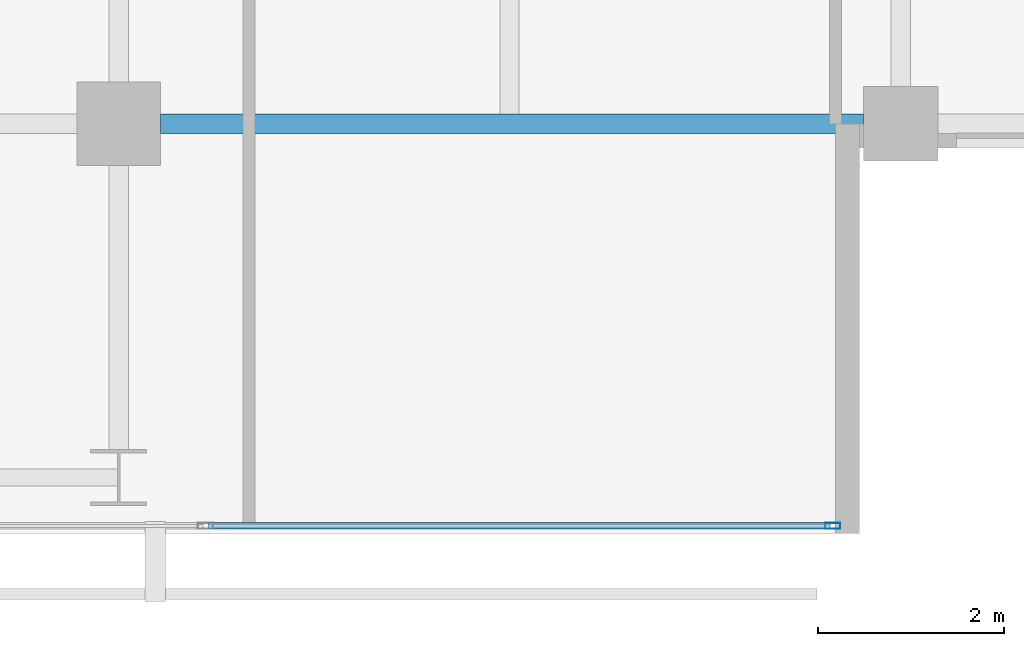
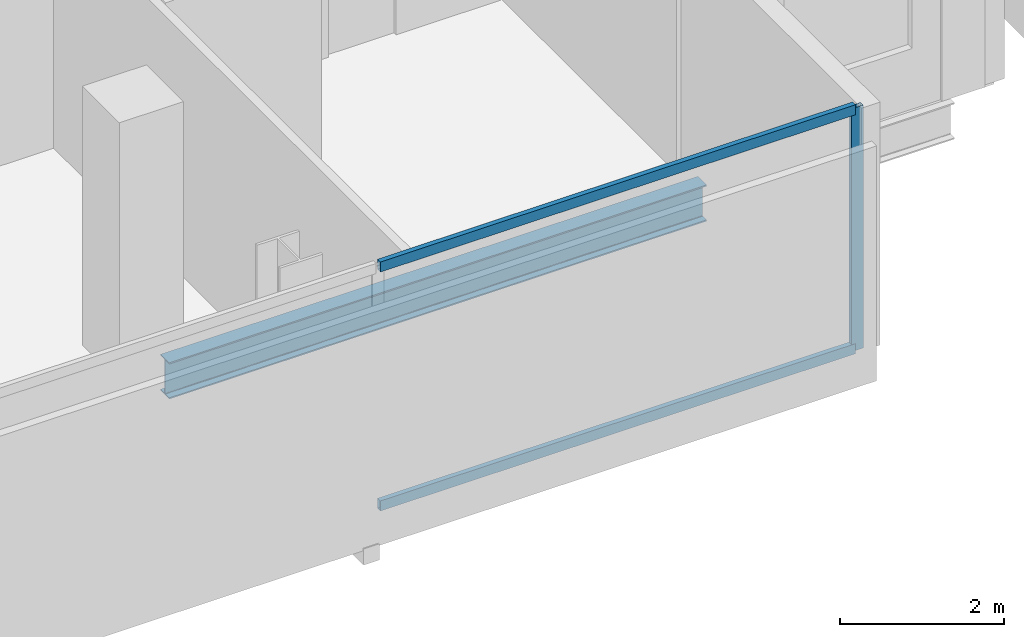
# One storey, part 13 of 33: 3 members, 1 beam, 1 element without a shape of its own.
"""IFC4 building model written with IfcOpenShell, lengths in metres."""

import ifcopenshell
import ifcopenshell.guid

model = None  # the IFC model being written
_history = None  # IfcOwnerHistory: only IFC2X3 demands one
_inside = {}  # id of a spatial element -> (the spatial element, [elements in it])
_under = {}  # id of a project, library or spatial element -> (it, [spatial elements below it])
_declared = {}  # id of a project -> (the project, [libraries it declares])
_typed = {}  # id of a type object -> (the type object, [elements of that type])
_made_of = {}  # id of a material, layer set ... -> (it, [elements and type objects made of it])


def new_model(schema):
    """Start an empty IFC model of exactly this schema.

    Asked for "IFC4X3", IfcOpenShell would pick the latest addendum, in which some entities
    have other attributes; the version numbers below select the first issue.
    IFC2X3 requires an IfcOwnerHistory on every rooted entity: one is made here for all.
    """
    global model, _history
    if schema == "IFC4X3":
        model = ifcopenshell.file(schema_version=(4, 3, 0, 0))
    else:
        model = ifcopenshell.file(schema=schema)
    _inside.clear()
    _under.clear()
    _declared.clear()
    _typed.clear()
    _made_of.clear()
    _history = None
    if model.schema == "IFC2X3":
        org = make("IfcOrganization", Name="unknown")
        user = make(
            "IfcPersonAndOrganization",
            ThePerson=make("IfcPerson", FamilyName="unknown"),
            TheOrganization=org,
        )
        app = make(
            "IfcApplication",
            ApplicationDeveloper=org,
            Version="unknown",
            ApplicationFullName="unknown",
            ApplicationIdentifier="unknown",
        )
        _history = make(
            "IfcOwnerHistory",
            OwningUser=user,
            OwningApplication=app,
            ChangeAction="ADDED",
            CreationDate=0,
        )
    return model


def make(cls, **values):
    """One entity of the class cls with the attributes given. An attribute that is None is left unset."""
    return model.create_entity(
        cls, **{name: value for name, value in values.items() if value is not None}
    )


def rooted(cls, **values):
    """An entity with a GlobalId (a new one), such as an element, a storey or a relation."""
    return make(cls, GlobalId=ifcopenshell.guid.new(), OwnerHistory=_history, **values)


def si_unit(unit_type, name, prefix=None):
    """IfcSIUnit, for example si_unit("LENGTHUNIT", "METRE", prefix="MILLI")."""
    return make("IfcSIUnit", UnitType=unit_type, Prefix=prefix, Name=name)


def assignment(units):
    """IfcUnitAssignment: the units of a project."""
    return None if units is None else make("IfcUnitAssignment", Units=units)


def point(xyz):
    """IfcCartesianPoint."""
    return None if xyz is None else make("IfcCartesianPoint", Coordinates=xyz)


def direction(xyz):
    """IfcDirection."""
    return None if xyz is None else make("IfcDirection", DirectionRatios=xyz)


def frame(location, z_axis=None, x_axis=None):
    """IfcAxis2Placement3D, a coordinate frame: its origin and axes. An axis left out is left unset."""
    return make(
        "IfcAxis2Placement3D",
        Location=point(location),
        Axis=direction(z_axis),
        RefDirection=direction(x_axis),
    )


def frame_2d(location, x_axis=None):
    """IfcAxis2Placement2D, a coordinate frame in the plane: its origin and x axis."""
    return make(
        "IfcAxis2Placement2D", Location=point(location), RefDirection=direction(x_axis)
    )


def origin():
    """The frame at (0, 0, 0) with its axes left unset."""
    return frame((0.0, 0.0, 0.0))


def origin_2d():
    """The frame at (0, 0) in the plane with its x axis left unset."""
    return frame_2d((0.0, 0.0))


def place(relative_to, where):
    """IfcLocalPlacement: puts the frame where relative to a parent placement (None: the world)."""
    return make(
        "IfcLocalPlacement", PlacementRelTo=relative_to, RelativePlacement=where
    )


def context(
    kind, dimensions, precision=None, world=None, true_north=None, identifier=None
):
    """IfcGeometricRepresentationContext, for example the 3D "Model" context."""
    return make(
        "IfcGeometricRepresentationContext",
        ContextIdentifier=identifier,
        ContextType=kind,
        CoordinateSpaceDimension=dimensions,
        Precision=precision,
        WorldCoordinateSystem=world,
        TrueNorth=true_north,
    )


def subcontext(parent, identifier, kind, view, scale=None):
    """IfcGeometricRepresentationSubContext, for example "Body" below "Model"."""
    return make(
        "IfcGeometricRepresentationSubContext",
        ContextIdentifier=identifier,
        ContextType=kind,
        ParentContext=parent,
        TargetScale=scale,
        TargetView=view,
    )


def project(units=None, contexts=None):
    """IfcProject with its units and contexts."""
    return rooted(
        "IfcProject",
        Name="project",
        RepresentationContexts=contexts,
        UnitsInContext=assignment(units),
    )


def spatial(cls, under=None, at=None, **own):
    """A site, building, storey or space (cls), placed at a placement, below another one or the project."""
    s = rooted(cls, ObjectPlacement=at, **own)
    if under is not None:
        _under.setdefault(under.id(), (under, []))[1].append(s)
    return s


def profile(cls, at=None, kind="AREA", **sizes):
    """A parametric profile (cls). Its sizes go by their IFC names, for example OverallWidth=200.0."""
    return make(cls, ProfileType=kind, Position=at, **sizes)


def hollow_rectangle(**sizes):
    """IfcRectangleHollowProfileDef."""
    return profile("IfcRectangleHollowProfileDef", **sizes)


def i_section(**sizes):
    """IfcIShapeProfileDef."""
    return profile("IfcIShapeProfileDef", **sizes)


def extrude(swept, where, along, depth):
    """IfcExtrudedAreaSolid: the profile swept, set in the frame where, extruded along a direction by depth."""
    return make(
        "IfcExtrudedAreaSolid",
        SweptArea=swept,
        Position=where,
        ExtrudedDirection=direction(along),
        Depth=depth,
    )


def shape(context_of_items, identifier, shape_type, items):
    """IfcShapeRepresentation: the items that make up one representation, for example the "Body"."""
    return make(
        "IfcShapeRepresentation",
        ContextOfItems=context_of_items,
        RepresentationIdentifier=identifier,
        RepresentationType=shape_type,
        Items=items,
    )


def material(Name=None, Category=None):
    """IfcMaterial."""
    return make("IfcMaterial", Name=Name, Category=Category)


def layer(
    of_material, thickness, ventilated=None, Name=None, Category=None, Priority=None
):
    """IfcMaterialLayer: one layer of a wall or slab, of a material (None: an air gap)."""
    return make(
        "IfcMaterialLayer",
        Material=of_material,
        LayerThickness=thickness,
        IsVentilated=ventilated,
        Name=Name,
        Category=Category,
        Priority=Priority,
    )


def layer_set(layers, Name=None):
    """IfcMaterialLayerSet."""
    return make("IfcMaterialLayerSet", MaterialLayers=layers, LayerSetName=Name)


def material_profile(
    of_material, cross_section, Name=None, Category=None, Priority=None
):
    """IfcMaterialProfile: a cross section and its material."""
    return make(
        "IfcMaterialProfile",
        Name=Name,
        Material=of_material,
        Profile=cross_section,
        Priority=Priority,
        Category=Category,
    )


def profile_set(profiles, Name=None, composite=None):
    """IfcMaterialProfileSet."""
    return make(
        "IfcMaterialProfileSet",
        Name=Name,
        MaterialProfiles=profiles,
        CompositeProfile=composite,
    )


def made_of(thing, what):
    """Note that an element or type object is made of a material, layer set ...; save() writes the relation."""
    if what is not None:
        _made_of.setdefault(what.id(), (what, []))[1].append(thing)
    return thing


def type_object(cls, material=None, **own):
    """A type object (cls), such as IfcWallType, which elements share."""
    return made_of(rooted(cls, **own), material)


def element(
    cls,
    number,
    at=None,
    inside=None,
    cuts=None,
    type_object=None,
    material=None,
    context=None,
    identifier="Body",
    shape_type=None,
    held_by="IfcProductDefinitionShape",
    body=None,
    shapes=None,
    **own,
):
    """One element of the class cls, such as IfcWall. Its Tag is "e" and its number.

    at: its placement. inside: the storey or other place that contains it. cuts: it is an
    opening in that element (IfcRelVoidsElement). A single representation is given by context,
    identifier, shape_type and body (its items); several are given by shapes. held_by: the class
    of the entity that holds the representations. save() writes the other relations.
    """
    e = rooted(cls, Tag="e%d" % number, ObjectPlacement=at, **own)
    if body is not None:
        shapes = [shape(context, identifier, shape_type, body)]
    if shapes is not None:
        e.Representation = make(held_by, Representations=shapes)
    if inside is not None:
        _inside.setdefault(inside.id(), (inside, []))[1].append(e)
    if cuts is not None:
        rooted(
            "IfcRelVoidsElement", RelatingBuildingElement=cuts, RelatedOpeningElement=e
        )
    if type_object is not None:
        _typed.setdefault(type_object.id(), (type_object, []))[1].append(e)
    return made_of(e, material)


def aggregate(whole, parts):
    """IfcRelAggregates: a whole, such as a stair, and the parts it consists of."""
    return rooted("IfcRelAggregates", RelatingObject=whole, RelatedObjects=parts)


def save(model, path):
    """Write the relations noted so far, then the file.

    IfcRelAggregates (storeys below a building ...), IfcRelContainedInSpatialStructure (elements
    in a storey), IfcRelDefinesByType, IfcRelAssociatesMaterial and IfcRelDeclares: one each for
    every whole, place, type object, material and project.
    """
    for whole, parts in _under.values():
        aggregate(whole, parts)
    for where, things in _inside.values():
        rooted(
            "IfcRelContainedInSpatialStructure",
            RelatedElements=things,
            RelatingStructure=where,
        )
    for kind, things in _typed.values():
        rooted("IfcRelDefinesByType", RelatedObjects=things, RelatingType=kind)
    for what, things in _made_of.values():
        rooted("IfcRelAssociatesMaterial", RelatedObjects=things, RelatingMaterial=what)
    for by, libraries in _declared.values():
        rooted("IfcRelDeclares", RelatingContext=by, RelatedDefinitions=libraries)
    model.write(path)


model = new_model("IFC4")

# Units and contexts
model_context = context("Model", 3, precision=1e-05, world=origin(), true_north=direction((0.0, 1.0)))
body_context = subcontext(model_context, "Body", "Model", "MODEL_VIEW")
ifc_project = project(units=[si_unit("LENGTHUNIT", "METRE"), si_unit("AREAUNIT", "SQUARE_METRE"), si_unit("VOLUMEUNIT", "CUBIC_METRE"), si_unit("PLANEANGLEUNIT", "RADIAN"), si_unit("MASSUNIT", "GRAM", prefix="KILO")], contexts=[model_context])

# Site, building, storey
site_placement = place(None, origin())
site = spatial("IfcSite", under=ifc_project, at=site_placement, CompositionType="ELEMENT")
building_placement = place(site_placement, origin())
building = spatial("IfcBuilding", under=site, at=building_placement, Name="Maruvema Waterfront Hotel and Observation Tower", CompositionType="ELEMENT")
storey_placement = place(building_placement, frame((0.0, 0.0, 204.39990234375)))
storey = spatial("IfcBuildingStorey", under=building, at=storey_placement, Name="L50", CompositionType="ELEMENT", Elevation=204.39990234375)

# Curtain wall, members
ifc_material_1 = material(Name="Anodised bronze aluminium and solar-control low-E IGU", Category="aluminium")
ifc_layer = layer(ifc_material_1, 0.159912109375, Name="Zone 2 Amber Inner Thermal Curtain Wall System CW-03")
ifc_layer_set = layer_set([ifc_layer], Name="Anodised bronze aluminium and solar-control low-E IGU")
curtain_wall_type = type_object("IfcCurtainWallType", Name="Zone 2 Amber Inner Thermal Curtain Wall System CW-03", PredefinedType="USERDEFINED", material=ifc_layer_set)
curtain_wall_placement = place(storey_placement, origin())
curtain_wall = element("IfcCurtainWall", 1, at=curtain_wall_placement, inside=storey, type_object=curtain_wall_type, Name="L50 Curtain Wall CW-L50-S", ObjectType="UNITISED CURTAIN WALL", PredefinedType="USERDEFINED")
ifc_material_2 = material(Name="Anodised architectural bronze aluminium", Category="aluminium")
ifc_material_profile_1 = material_profile(ifc_material_2, hollow_rectangle(XDim=0.070068359375, YDim=0.14990234375, WallThickness=0.00390625, at=origin_2d()), Name="ALU-T70x150")
ifc_profile_set_1 = profile_set([ifc_material_profile_1], Name="Anodised architectural bronze aluminium")
member_type_1 = type_object("IfcMemberType", Name="Curtain Wall Horizontal Transom ALU-T70x150", PredefinedType="USERDEFINED", material=ifc_profile_set_1)
member_1_placement = place(storey_placement, frame((51.36328125, 4.679931640625, 0.030029296875), z_axis=(1.0, 0.0, 0.0), x_axis=(0.0, 1.0, 0.0)))
member_1 = element("IfcMember", 2, at=member_1_placement, type_object=member_type_1, Name="CW-03 transom 6.1", ObjectType="TRANSOM", PredefinedType="USERDEFINED", context=body_context, shape_type="SweptSolid", body=[
    extrude(hollow_rectangle(XDim=0.070068359375, YDim=0.14990234375, WallThickness=0.00390625, at=origin_2d()), origin(), (0.0, 0.0, 1.0), 6.6767578125),
])
member_2_placement = place(storey_placement, frame((51.36328125, 4.679931640625, 3.580078125), z_axis=(1.0, 0.0, 0.0), x_axis=(0.0, 1.0, 0.0)))
member_2 = element("IfcMember", 3, at=member_2_placement, type_object=member_type_1, Name="CW-03 transom 6.2", ObjectType="TRANSOM", PredefinedType="USERDEFINED", context=body_context, shape_type="SweptSolid", body=[
    extrude(hollow_rectangle(XDim=0.070068359375, YDim=0.14990234375, WallThickness=0.00390625, at=origin_2d()), origin(), (0.0, 0.0, 1.0), 6.6767578125),
])
ifc_material_3 = material(Name="Anodised architectural bronze aluminium", Category="aluminium")
ifc_material_profile_2 = material_profile(ifc_material_3, hollow_rectangle(XDim=0.06494140625, YDim=0.1650390625, WallThickness=0.00390625, at=origin_2d()), Name="ALU-M65x165")
ifc_profile_set_2 = profile_set([ifc_material_profile_2], Name="Anodised architectural bronze aluminium")
member_type_2 = type_object("IfcMemberType", Name="Curtain Wall Primary Mullion ALU-M65x165", PredefinedType="MULLION", material=ifc_profile_set_2)
member_3_placement = place(storey_placement, frame((58.070068359375, 4.679931640625, 0.0), z_axis=(0.0, 0.0, 1.0), x_axis=(0.0, 1.0, 0.0)))
member_3 = element("IfcMember", 4, at=member_3_placement, type_object=member_type_2, Name="CW-03 mullion 7", PredefinedType="MULLION", context=body_context, shape_type="SweptSolid", body=[
    extrude(hollow_rectangle(XDim=0.06494140625, YDim=0.1650390625, WallThickness=0.00390625, at=origin_2d()), origin(), (0.0, 0.0, 1.0), 3.610107421875),
])
aggregate(curtain_wall, [member_3, member_1, member_2])

# Beam
ifc_material_4 = material(Name="Steel ASTM A572 Grade 50", Category="steel")
ifc_material_profile_3 = material_profile(ifc_material_4, i_section(OverallWidth=0.2109375, OverallDepth=0.5390625, WebThickness=0.01171875, FlangeThickness=0.018798828125, FilletRadius=0.014892578125, at=origin_2d()), Name="W530x109.0")
ifc_profile_set_3 = profile_set([ifc_material_profile_3], Name="Steel ASTM A572 Grade 50")
beam_type = type_object("IfcBeamType", Name="Primary Floor Girder W530x109.0", PredefinedType="BEAM", material=ifc_profile_set_3)
beam_placement = place(storey_placement, frame((50.85009765625, 9.0, -0.509521484375), z_axis=(1.0, 0.0, 0.0), x_axis=(0.0, 1.0, 0.0)))
element("IfcBeam", 5, at=beam_placement, inside=storey, type_object=beam_type, Name="L50 Floor Girder EW-09", PredefinedType="BEAM", context=body_context, shape_type="SweptSolid", body=[
    extrude(i_section(OverallWidth=0.2109375, OverallDepth=0.5390625, WebThickness=0.01171875, FlangeThickness=0.018798828125, FilletRadius=0.014892578125, at=origin_2d()), origin(), (0.0, 0.0, 1.0), 7.5498046875),
])

save(model, "model.ifc")
